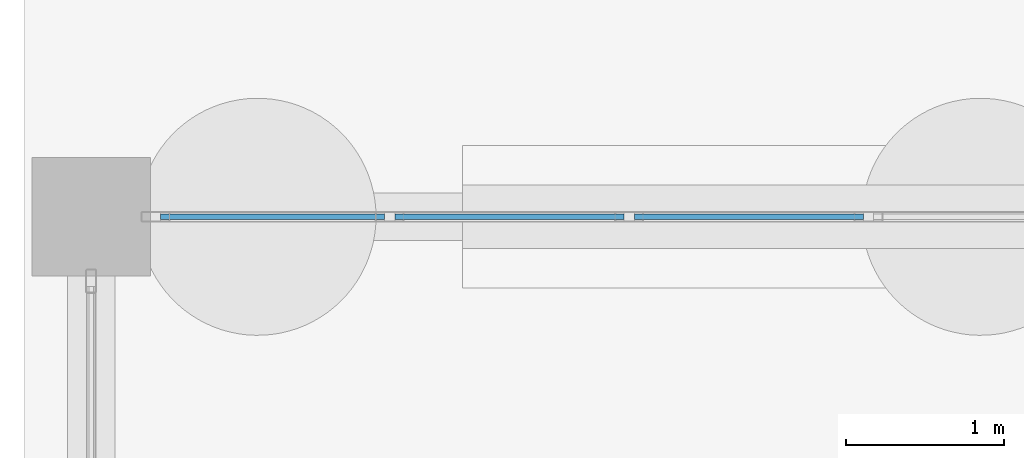
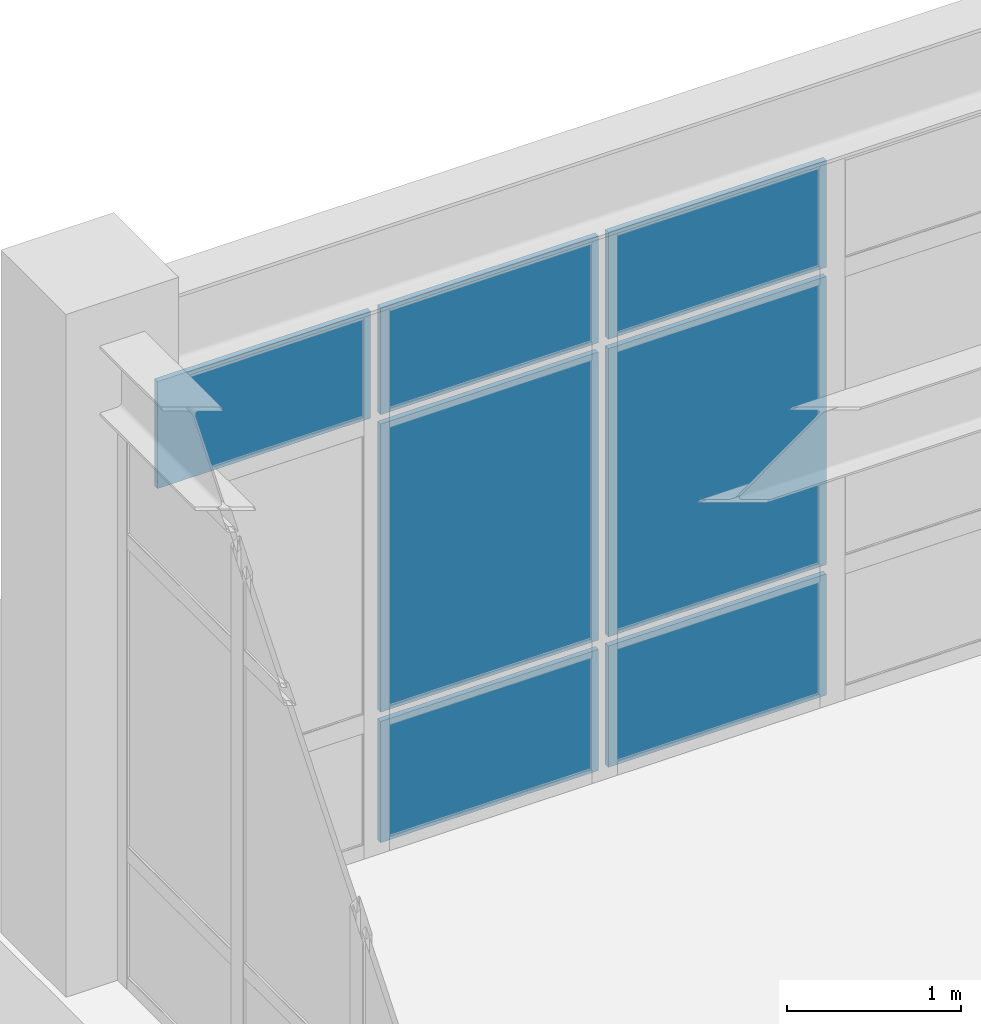
# One storey, part 100 of 139: 7 plates, 1 element without a shape of its own.
"""IFC4 building model written with IfcOpenShell, lengths in metres."""

from ifc_helpers import new_model, si_unit, direction, frame, origin, origin_2d, place, context, subcontext, project, spatial, rectangle, extrude, material, layer, layer_set, type_object, element, aggregate, save


model = new_model("IFC4")

# Units and contexts
model_context = context("Model", 3, precision=1e-05, world=origin(), true_north=direction((0.0, 1.0)))
body_context = subcontext(model_context, "Body", "Model", "MODEL_VIEW")
ifc_project = project(units=[si_unit("LENGTHUNIT", "METRE"), si_unit("AREAUNIT", "SQUARE_METRE"), si_unit("VOLUMEUNIT", "CUBIC_METRE"), si_unit("PLANEANGLEUNIT", "RADIAN"), si_unit("MASSUNIT", "GRAM", prefix="KILO")], contexts=[model_context])

# Site, building, storey
site_placement = place(None, origin())
site = spatial("IfcSite", under=ifc_project, at=site_placement, CompositionType="ELEMENT")
building_placement = place(site_placement, origin())
building = spatial("IfcBuilding", under=site, at=building_placement, Name="Canglan Escarpment Cableway Terminal", CompositionType="ELEMENT")
storey_placement = place(building_placement, frame((0.0, 0.0, 14.39990234375)))
storey = spatial("IfcBuildingStorey", under=building, at=storey_placement, Name="L03", CompositionType="ELEMENT", Elevation=14.39990234375)

# Curtain wall, plates
ifc_material_1 = material(Name="Anodized bronze aluminium and Low-E double glazing", Category="aluminium")
curtain_wall_type = type_object("IfcCurtainWallType", Name="CW-BAY-7575x3900", PredefinedType="NOTDEFINED", material=ifc_material_1)
curtain_wall_placement = place(storey_placement, origin())
curtain_wall = element("IfcCurtainWall", 1, at=curtain_wall_placement, inside=storey, type_object=curtain_wall_type, Name="Classical bay-between-piers glazed curtain wall CW-49", PredefinedType="NOTDEFINED")
ifc_material_2 = material(Name="Double-silver Low-E laminated insulating glass", Category="glass")
ifc_layer = layer(ifc_material_2, 0.035888671875, Name="Double-silver Low-E laminated insulating glass")
ifc_layer_set = layer_set([ifc_layer], Name="Double-silver Low-E laminated insulating glass")
plate_type = type_object("IfcPlateType", Name="CWP-04", PredefinedType="CURTAIN_PANEL", material=ifc_layer_set)
plate_1_placement = place(storey_placement, frame((115.66259765625, 115.0, 0.065185546875), z_axis=(0.0, 0.0, 1.0), x_axis=(-1.0, 0.0, 0.0)))
plate_1 = element("IfcPlate", 2, at=plate_1_placement, type_object=plate_type, Name="CW-49 panel 3.1", PredefinedType="CURTAIN_PANEL", context=body_context, shape_type="SweptSolid", body=[
    extrude(rectangle(XDim=1.449951171875, YDim=0.035888671875, at=origin_2d()), origin(), (0.0, 0.0, 1.0), 0.8525390625),
])
plate_2_placement = place(storey_placement, frame((115.66259765625, 115.0, 0.982666015625), z_axis=(0.0, 0.0, 1.0), x_axis=(-1.0, 0.0, 0.0)))
plate_2 = element("IfcPlate", 3, at=plate_2_placement, type_object=plate_type, Name="CW-49 panel 3.2", PredefinedType="CURTAIN_PANEL", context=body_context, shape_type="SweptSolid", body=[
    extrude(rectangle(XDim=1.449951171875, YDim=0.035888671875, at=origin_2d()), origin(), (0.0, 0.0, 1.0), 2.02587890625),
])
plate_3_placement = place(storey_placement, frame((115.66259765625, 115.0, 3.07373046875), z_axis=(0.0, 0.0, 1.0), x_axis=(-1.0, 0.0, 0.0)))
plate_3 = element("IfcPlate", 4, at=plate_3_placement, type_object=plate_type, Name="CW-49 panel 3.3", PredefinedType="CURTAIN_PANEL", context=body_context, shape_type="SweptSolid", body=[
    extrude(rectangle(XDim=1.449951171875, YDim=0.035888671875, at=origin_2d()), origin(), (0.0, 0.0, 1.0), 0.75244140625),
])
plate_4_placement = place(storey_placement, frame((114.1474609375, 115.0, 0.065185546875), z_axis=(0.0, 0.0, 1.0), x_axis=(-1.0, 0.0, 0.0)))
plate_4 = element("IfcPlate", 5, at=plate_4_placement, type_object=plate_type, Name="CW-49 panel 4.1", PredefinedType="CURTAIN_PANEL", context=body_context, shape_type="SweptSolid", body=[
    extrude(rectangle(XDim=1.449951171875, YDim=0.035888671875, at=origin_2d()), origin(), (0.0, 0.0, 1.0), 0.8525390625),
])
plate_5_placement = place(storey_placement, frame((114.1474609375, 115.0, 0.982666015625), z_axis=(0.0, 0.0, 1.0), x_axis=(-1.0, 0.0, 0.0)))
plate_5 = element("IfcPlate", 6, at=plate_5_placement, type_object=plate_type, Name="CW-49 panel 4.2", PredefinedType="CURTAIN_PANEL", context=body_context, shape_type="SweptSolid", body=[
    extrude(rectangle(XDim=1.449951171875, YDim=0.035888671875, at=origin_2d()), origin(), (0.0, 0.0, 1.0), 2.02587890625),
])
plate_6_placement = place(storey_placement, frame((114.1474609375, 115.0, 3.07373046875), z_axis=(0.0, 0.0, 1.0), x_axis=(-1.0, 0.0, 0.0)))
plate_6 = element("IfcPlate", 7, at=plate_6_placement, type_object=plate_type, Name="CW-49 panel 4.3", PredefinedType="CURTAIN_PANEL", context=body_context, shape_type="SweptSolid", body=[
    extrude(rectangle(XDim=1.449951171875, YDim=0.035888671875, at=origin_2d()), origin(), (0.0, 0.0, 1.0), 0.75244140625),
])
plate_7_placement = place(storey_placement, frame((112.648681640625, 115.0, 3.07373046875), z_axis=(0.0, 0.0, 1.0), x_axis=(-1.0, 0.0, 0.0)))
plate_7 = element("IfcPlate", 8, at=plate_7_placement, type_object=plate_type, Name="CW-49 panel 5.3", PredefinedType="CURTAIN_PANEL", context=body_context, shape_type="SweptSolid", body=[
    extrude(rectangle(XDim=1.41748046875, YDim=0.035888671875, at=origin_2d()), origin(), (0.0, 0.0, 1.0), 0.75244140625),
])
aggregate(curtain_wall, [plate_1, plate_2, plate_3, plate_4, plate_5, plate_6, plate_7])

save(model, "model.ifc")
